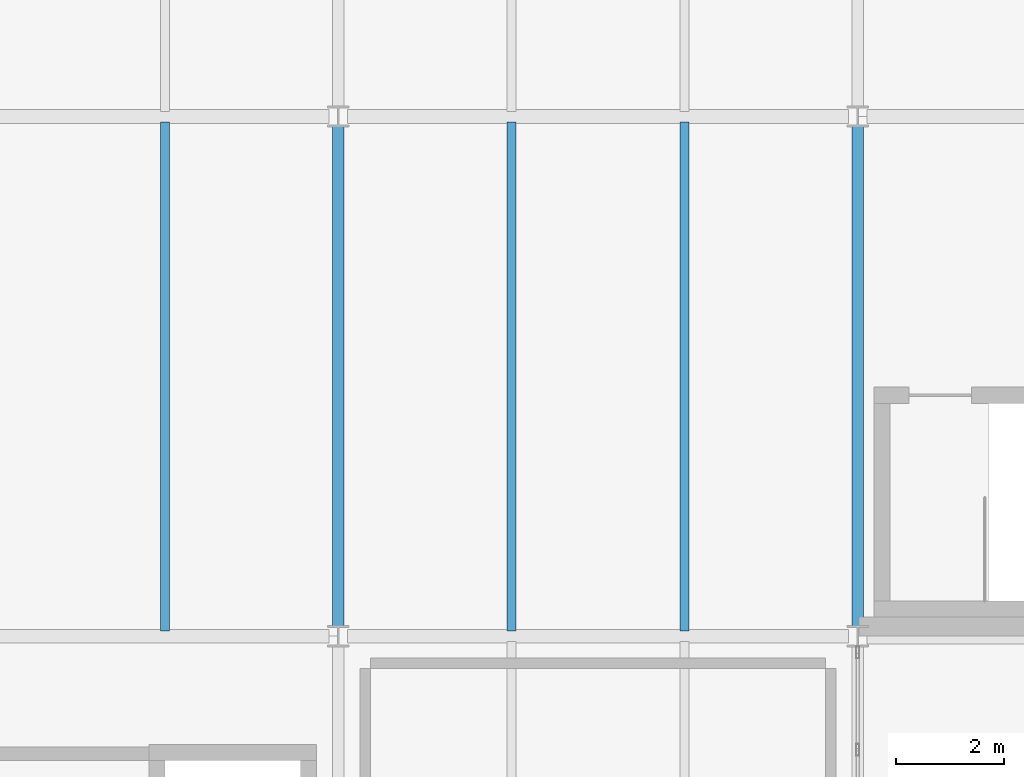
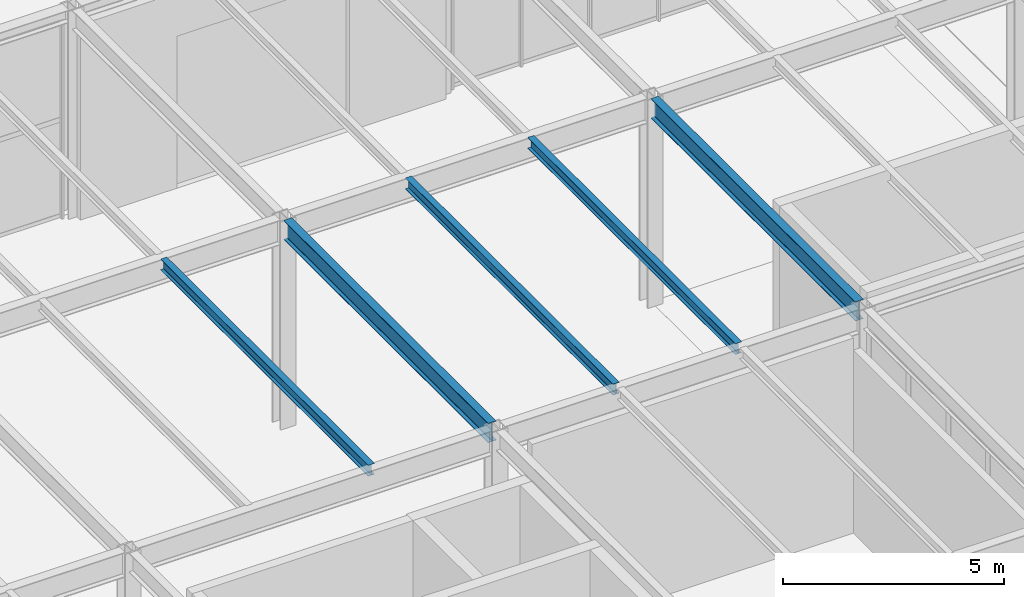
# One storey, part 50 of 142: 5 beams.
"""IFC4 building model written with IfcOpenShell, lengths in metres."""

from ifc_helpers import new_model, si_unit, direction, frame, origin, origin_2d, place, context, subcontext, project, spatial, i_section, extrude, material, material_profile, profile_set, type_object, element, save


model = new_model("IFC4")

# Units and contexts
model_context = context("Model", 3, precision=1e-05, world=origin(), true_north=direction((0.0, 1.0)))
body_context = subcontext(model_context, "Body", "Model", "MODEL_VIEW")
ifc_project = project(units=[si_unit("LENGTHUNIT", "METRE"), si_unit("AREAUNIT", "SQUARE_METRE"), si_unit("VOLUMEUNIT", "CUBIC_METRE"), si_unit("PLANEANGLEUNIT", "RADIAN"), si_unit("MASSUNIT", "GRAM", prefix="KILO")], contexts=[model_context])

# Site, building, storey
site_placement = place(None, origin())
site = spatial("IfcSite", under=ifc_project, at=site_placement, CompositionType="ELEMENT")
building_placement = place(site_placement, origin())
building = spatial("IfcBuilding", under=site, at=building_placement, Name="Coralgate Yard Interchange", CompositionType="ELEMENT")
storey_placement = place(building_placement, origin())
storey = spatial("IfcBuildingStorey", under=building, at=storey_placement, Name="L00", CompositionType="ELEMENT", Elevation=0.0)

# Beams
ifc_material = material(Name="Structural steel S355J2", Category="steel")
ifc_material_profile_1 = material_profile(ifc_material, i_section(OverallWidth=0.209228515625, OverallDepth=0.533203125, WebThickness=0.010009765625, FlangeThickness=0.015625, FilletRadius=0.0126953125, at=origin_2d()), Name="UB 533x210x92")
ifc_profile_set_1 = profile_set([ifc_material_profile_1], Name="Structural steel S355J2")
beam_type_1 = type_object("IfcBeamType", Name="BM-SB-1", PredefinedType="BEAM", material=ifc_profile_set_1)
for number, where, z_axis, x_axis, name in (
    (1, (19.199951171875, 38.56689453125, 5.4833984375), (0.0, 1.0, 0.0), (-1.0, 0.0, 0.0), "L00 primary grid girder X2 Y4-5"),
    (2, (28.800048828125, 38.56689453125, 5.4833984375), (0.0, 1.0, 0.0), (-1.0, 0.0, 0.0), "L00 primary grid girder X3 Y4-5"),
):
    element("IfcBeam", number, at=place(storey_placement, frame(where, z_axis=z_axis, x_axis=x_axis)), inside=storey, type_object=beam_type_1, Name=name, PredefinedType="BEAM", context=body_context, shape_type="SweptSolid", body=[
        extrude(i_section(OverallWidth=0.209228515625, OverallDepth=0.533203125, WebThickness=0.010009765625, FlangeThickness=0.015625, FilletRadius=0.0126953125, at=origin_2d()), origin(), (0.0, 0.0, 1.0), 9.266357421875),
    ])
ifc_material_profile_2 = material_profile(ifc_material, i_section(OverallWidth=0.1650390625, OverallDepth=0.303466796875, WebThickness=0.006103515625, FlangeThickness=0.01025390625, FilletRadius=0.0087890625, at=origin_2d()), Name="UB 305x165x40")
ifc_profile_set_2 = profile_set([ifc_material_profile_2], Name="Structural steel S355J2")
beam_type_2 = type_object("IfcBeamType", Name="BM-SJ-1", PredefinedType="JOIST", material=ifc_profile_set_2)
for number, where, z_axis, x_axis, name in (
    (3, (16.0, 38.496826171875, 5.598388671875), (0.0, 1.0, 0.0), (-1.0, 0.0, 0.0), "L00 composite floor joist 1-4-2"),
    (4, (22.39990234375, 38.496826171875, 5.598388671875), (0.0, 1.0, 0.0), (-1.0, 0.0, 0.0), "L00 composite floor joist 2-4-1"),
    (5, (25.60009765625, 38.496826171875, 5.598388671875), (0.0, 1.0, 0.0), (-1.0, 0.0, 0.0), "L00 composite floor joist 2-4-2"),
):
    element("IfcBeam", number, at=place(storey_placement, frame(where, z_axis=z_axis, x_axis=x_axis)), inside=storey, type_object=beam_type_2, Name=name, PredefinedType="JOIST", context=body_context, shape_type="SweptSolid", body=[
        extrude(i_section(OverallWidth=0.1650390625, OverallDepth=0.303466796875, WebThickness=0.006103515625, FlangeThickness=0.01025390625, FilletRadius=0.0087890625, at=origin_2d()), origin(), (0.0, 0.0, 1.0), 9.40625),
    ])

save(model, "model.ifc")
